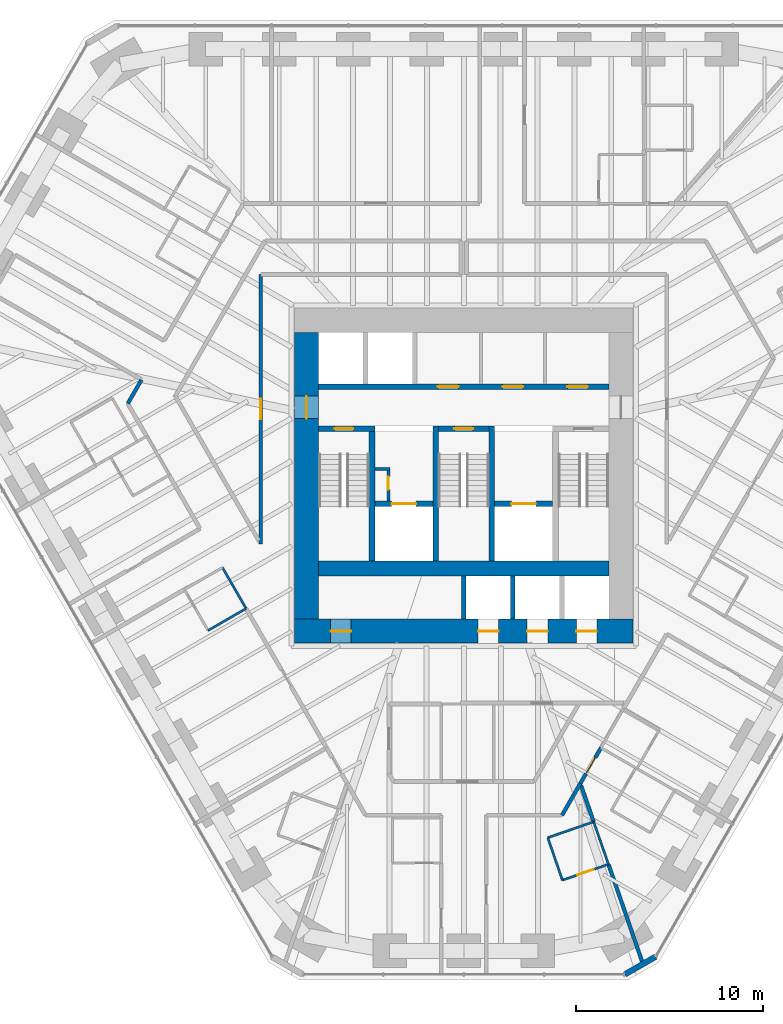
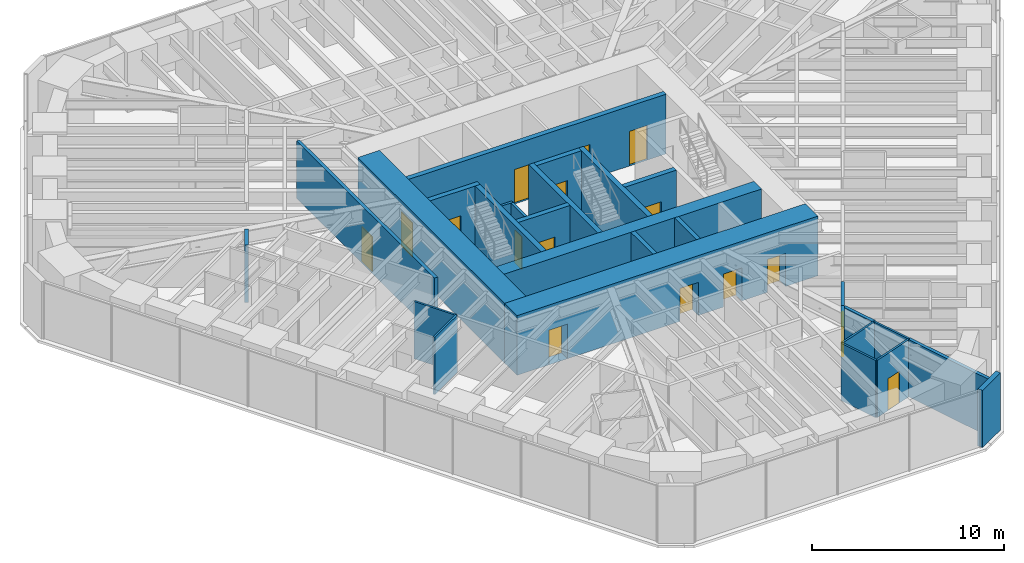
# One storey, part 12 of 16: 28 walls, 16 doors, 16 openings.
"""IFC4 building model written with IfcOpenShell, lengths in metres."""

import ifcopenshell
import ifcopenshell.guid

model = None  # the IFC model being written
_history = None  # IfcOwnerHistory: only IFC2X3 demands one
_inside = {}  # id of a spatial element -> (the spatial element, [elements in it])
_under = {}  # id of a project, library or spatial element -> (it, [spatial elements below it])
_declared = {}  # id of a project -> (the project, [libraries it declares])
_typed = {}  # id of a type object -> (the type object, [elements of that type])
_made_of = {}  # id of a material, layer set ... -> (it, [elements and type objects made of it])


def new_model(schema):
    """Start an empty IFC model of exactly this schema.

    Asked for "IFC4X3", IfcOpenShell would pick the latest addendum, in which some entities
    have other attributes; the version numbers below select the first issue.
    IFC2X3 requires an IfcOwnerHistory on every rooted entity: one is made here for all.
    """
    global model, _history
    if schema == "IFC4X3":
        model = ifcopenshell.file(schema_version=(4, 3, 0, 0))
    else:
        model = ifcopenshell.file(schema=schema)
    _inside.clear()
    _under.clear()
    _declared.clear()
    _typed.clear()
    _made_of.clear()
    _history = None
    if model.schema == "IFC2X3":
        org = make("IfcOrganization", Name="unknown")
        user = make(
            "IfcPersonAndOrganization",
            ThePerson=make("IfcPerson", FamilyName="unknown"),
            TheOrganization=org,
        )
        app = make(
            "IfcApplication",
            ApplicationDeveloper=org,
            Version="unknown",
            ApplicationFullName="unknown",
            ApplicationIdentifier="unknown",
        )
        _history = make(
            "IfcOwnerHistory",
            OwningUser=user,
            OwningApplication=app,
            ChangeAction="ADDED",
            CreationDate=0,
        )
    return model


def make(cls, **values):
    """One entity of the class cls with the attributes given. An attribute that is None is left unset."""
    return model.create_entity(
        cls, **{name: value for name, value in values.items() if value is not None}
    )


def rooted(cls, **values):
    """An entity with a GlobalId (a new one), such as an element, a storey or a relation."""
    return make(cls, GlobalId=ifcopenshell.guid.new(), OwnerHistory=_history, **values)


def si_unit(unit_type, name, prefix=None):
    """IfcSIUnit, for example si_unit("LENGTHUNIT", "METRE", prefix="MILLI")."""
    return make("IfcSIUnit", UnitType=unit_type, Prefix=prefix, Name=name)


def assignment(units):
    """IfcUnitAssignment: the units of a project."""
    return None if units is None else make("IfcUnitAssignment", Units=units)


def point(xyz):
    """IfcCartesianPoint."""
    return None if xyz is None else make("IfcCartesianPoint", Coordinates=xyz)


def direction(xyz):
    """IfcDirection."""
    return None if xyz is None else make("IfcDirection", DirectionRatios=xyz)


def frame(location, z_axis=None, x_axis=None):
    """IfcAxis2Placement3D, a coordinate frame: its origin and axes. An axis left out is left unset."""
    return make(
        "IfcAxis2Placement3D",
        Location=point(location),
        Axis=direction(z_axis),
        RefDirection=direction(x_axis),
    )


def frame_2d(location, x_axis=None):
    """IfcAxis2Placement2D, a coordinate frame in the plane: its origin and x axis."""
    return make(
        "IfcAxis2Placement2D", Location=point(location), RefDirection=direction(x_axis)
    )


def origin():
    """The frame at (0, 0, 0) with its axes left unset."""
    return frame((0.0, 0.0, 0.0))


def place(relative_to, where):
    """IfcLocalPlacement: puts the frame where relative to a parent placement (None: the world)."""
    return make(
        "IfcLocalPlacement", PlacementRelTo=relative_to, RelativePlacement=where
    )


def context(
    kind, dimensions, precision=None, world=None, true_north=None, identifier=None
):
    """IfcGeometricRepresentationContext, for example the 3D "Model" context."""
    return make(
        "IfcGeometricRepresentationContext",
        ContextIdentifier=identifier,
        ContextType=kind,
        CoordinateSpaceDimension=dimensions,
        Precision=precision,
        WorldCoordinateSystem=world,
        TrueNorth=true_north,
    )


def subcontext(parent, identifier, kind, view, scale=None):
    """IfcGeometricRepresentationSubContext, for example "Body" below "Model"."""
    return make(
        "IfcGeometricRepresentationSubContext",
        ContextIdentifier=identifier,
        ContextType=kind,
        ParentContext=parent,
        TargetScale=scale,
        TargetView=view,
    )


def project(units=None, contexts=None):
    """IfcProject with its units and contexts."""
    return rooted(
        "IfcProject",
        Name="project",
        RepresentationContexts=contexts,
        UnitsInContext=assignment(units),
    )


def spatial(cls, under=None, at=None, **own):
    """A site, building, storey or space (cls), placed at a placement, below another one or the project."""
    s = rooted(cls, ObjectPlacement=at, **own)
    if under is not None:
        _under.setdefault(under.id(), (under, []))[1].append(s)
    return s


def profile(cls, at=None, kind="AREA", **sizes):
    """A parametric profile (cls). Its sizes go by their IFC names, for example OverallWidth=200.0."""
    return make(cls, ProfileType=kind, Position=at, **sizes)


def rectangle(**sizes):
    """IfcRectangleProfileDef."""
    return profile("IfcRectangleProfileDef", **sizes)


def extrude(swept, where, along, depth):
    """IfcExtrudedAreaSolid: the profile swept, set in the frame where, extruded along a direction by depth."""
    return make(
        "IfcExtrudedAreaSolid",
        SweptArea=swept,
        Position=where,
        ExtrudedDirection=direction(along),
        Depth=depth,
    )


def shape(context_of_items, identifier, shape_type, items):
    """IfcShapeRepresentation: the items that make up one representation, for example the "Body"."""
    return make(
        "IfcShapeRepresentation",
        ContextOfItems=context_of_items,
        RepresentationIdentifier=identifier,
        RepresentationType=shape_type,
        Items=items,
    )


def material(Name=None, Category=None):
    """IfcMaterial."""
    return make("IfcMaterial", Name=Name, Category=Category)


def layer(
    of_material, thickness, ventilated=None, Name=None, Category=None, Priority=None
):
    """IfcMaterialLayer: one layer of a wall or slab, of a material (None: an air gap)."""
    return make(
        "IfcMaterialLayer",
        Material=of_material,
        LayerThickness=thickness,
        IsVentilated=ventilated,
        Name=Name,
        Category=Category,
        Priority=Priority,
    )


def layer_set(layers, Name=None):
    """IfcMaterialLayerSet."""
    return make("IfcMaterialLayerSet", MaterialLayers=layers, LayerSetName=Name)


def made_of(thing, what):
    """Note that an element or type object is made of a material, layer set ...; save() writes the relation."""
    if what is not None:
        _made_of.setdefault(what.id(), (what, []))[1].append(thing)
    return thing


def type_object(cls, material=None, **own):
    """A type object (cls), such as IfcWallType, which elements share."""
    return made_of(rooted(cls, **own), material)


def element(
    cls,
    number,
    at=None,
    inside=None,
    cuts=None,
    type_object=None,
    material=None,
    context=None,
    identifier="Body",
    shape_type=None,
    held_by="IfcProductDefinitionShape",
    body=None,
    shapes=None,
    **own,
):
    """One element of the class cls, such as IfcWall. Its Tag is "e" and its number.

    at: its placement. inside: the storey or other place that contains it. cuts: it is an
    opening in that element (IfcRelVoidsElement). A single representation is given by context,
    identifier, shape_type and body (its items); several are given by shapes. held_by: the class
    of the entity that holds the representations. save() writes the other relations.
    """
    e = rooted(cls, Tag="e%d" % number, ObjectPlacement=at, **own)
    if body is not None:
        shapes = [shape(context, identifier, shape_type, body)]
    if shapes is not None:
        e.Representation = make(held_by, Representations=shapes)
    if inside is not None:
        _inside.setdefault(inside.id(), (inside, []))[1].append(e)
    if cuts is not None:
        rooted(
            "IfcRelVoidsElement", RelatingBuildingElement=cuts, RelatedOpeningElement=e
        )
    if type_object is not None:
        _typed.setdefault(type_object.id(), (type_object, []))[1].append(e)
    return made_of(e, material)


def fill(opening, filler):
    """IfcRelFillsElement: the door or window that sits in an opening."""
    return rooted(
        "IfcRelFillsElement",
        RelatingOpeningElement=opening,
        RelatedBuildingElement=filler,
    )


def aggregate(whole, parts):
    """IfcRelAggregates: a whole, such as a stair, and the parts it consists of."""
    return rooted("IfcRelAggregates", RelatingObject=whole, RelatedObjects=parts)


def save(model, path):
    """Write the relations noted so far, then the file.

    IfcRelAggregates (storeys below a building ...), IfcRelContainedInSpatialStructure (elements
    in a storey), IfcRelDefinesByType, IfcRelAssociatesMaterial and IfcRelDeclares: one each for
    every whole, place, type object, material and project.
    """
    for whole, parts in _under.values():
        aggregate(whole, parts)
    for where, things in _inside.values():
        rooted(
            "IfcRelContainedInSpatialStructure",
            RelatedElements=things,
            RelatingStructure=where,
        )
    for kind, things in _typed.values():
        rooted("IfcRelDefinesByType", RelatedObjects=things, RelatingType=kind)
    for what, things in _made_of.values():
        rooted("IfcRelAssociatesMaterial", RelatedObjects=things, RelatingMaterial=what)
    for by, libraries in _declared.values():
        rooted("IfcRelDeclares", RelatingContext=by, RelatedDefinitions=libraries)
    model.write(path)


model = new_model("IFC4")

# Units and contexts
model_context = context("Model", 3, precision=1e-05, world=origin(), true_north=direction((0.0, 1.0)))
body_context = subcontext(model_context, "Body", "Model", "MODEL_VIEW")
ifc_project = project(units=[si_unit("LENGTHUNIT", "METRE"), si_unit("AREAUNIT", "SQUARE_METRE"), si_unit("VOLUMEUNIT", "CUBIC_METRE"), si_unit("PLANEANGLEUNIT", "RADIAN"), si_unit("MASSUNIT", "GRAM", prefix="KILO")], contexts=[model_context])

# Site, building, storey
site_placement = place(None, origin())
site = spatial("IfcSite", under=ifc_project, at=site_placement, CompositionType="ELEMENT")
building_placement = place(site_placement, origin())
building = spatial("IfcBuilding", under=site, at=building_placement, Name="Sandreach Pilgrim Tower", CompositionType="ELEMENT")
storey_placement = place(building_placement, frame((0.0, 0.0, 134.800048828125)))
storey = spatial("IfcBuildingStorey", under=building, at=storey_placement, Name="L33", CompositionType="ELEMENT", Elevation=134.800048828125)

# Walls
ifc_material_1 = material(Name="Moisture-resistant gypsum board on steel studs", Category="steel")
ifc_layer_1 = layer(ifc_material_1, 0.1201171875)
ifc_layer_set_1 = layer_set([ifc_layer_1], Name="Bathroom partition 120")
wall_type_1 = type_object("IfcWallType", Name="Bathroom partition 120", PredefinedType="PARTITIONING", material=ifc_layer_set_1)
wall_1_placement = place(storey_placement, frame((-13.659912109375, -9.820068359375, 0.0), z_axis=(0.0, 0.0, 1.0), x_axis=(0.866345142729, 0.499445786517, 0.0)))
element("IfcWall", 1, at=wall_1_placement, inside=storey, type_object=wall_type_1, Name="Bathroom partition L33-035", PredefinedType="PARTITIONING", context=body_context, shape_type="SweptSolid", body=[
    extrude(rectangle(XDim=2.343017578125, YDim=0.1201171875, at=frame_2d((1.17138671875, 0.0))), origin(), (0.0, 0.0, 1.0), 3.639892578125),
])
wall_2_placement = place(storey_placement, frame((-12.889892578125, -6.4599609375, 0.0), z_axis=(0.0, 0.0, 1.0), x_axis=(0.498707120669, -0.866770562372, 0.0)))
element("IfcWall", 2, at=wall_2_placement, inside=storey, type_object=wall_type_1, Name="Bathroom partition L33-037", PredefinedType="PARTITIONING", context=body_context, shape_type="SweptSolid", body=[
    extrude(rectangle(XDim=2.526611328125, YDim=0.1201171875, at=frame_2d((1.26318359375, 0.0))), origin(), (0.0, 0.0, 1.0), 3.639892578125),
])
wall_3_placement = place(storey_placement, frame((4.489990234375, -20.889892578125, 0.0), z_axis=(0.0, 0.0, 1.0), x_axis=(0.324971746724, -0.945723724896, 0.0)))
element("IfcWall", 3, at=wall_3_placement, inside=storey, type_object=wall_type_1, Name="Bathroom partition L33-078", PredefinedType="PARTITIONING", context=body_context, shape_type="SweptSolid", body=[
    extrude(rectangle(XDim=2.400390625, YDim=0.1201171875, at=frame_2d((1.2001953125, 0.0))), origin(), (0.0, 0.0, 1.0), 3.639892578125),
])

# Wall, opening, door
wall_4_placement = place(storey_placement, frame((5.27001953125, -23.159912109375, 0.0), z_axis=(0.0, 0.0, 1.0), x_axis=(0.945184415197, 0.326537013627, 0.0)))
wall_4 = element("IfcWall", 4, at=wall_4_placement, inside=storey, type_object=wall_type_1, Name="Bathroom partition L33-080", PredefinedType="PARTITIONING", context=body_context, shape_type="SweptSolid", body=[
    extrude(rectangle(XDim=2.6025390625, YDim=0.1201171875, at=frame_2d((1.30126953125, 0.0))), origin(), (0.0, 0.0, 1.0), 3.639892578125),
])
opening_1_placement = place(wall_4_placement, frame((0.85009765625, 0.0, 0.0)))
opening_1 = element("IfcOpeningElement", 5, at=opening_1_placement, cuts=wall_4, Name="Opening D09-10B", PredefinedType="OPENING", context=body_context, shape_type="SweptSolid", body=[
    extrude(rectangle(XDim=0.89990234375, YDim=2.030029296875, at=frame_2d((0.449951171875, 1.01513671875))), frame((0.0, 0.06005859375, 0.0), z_axis=(0.0, -1.0, 0.0), x_axis=(1.0, 0.0, 0.0)), (0.0, 0.0, 1.0), 0.1201171875),
])
ifc_material_2 = material(Name="Timber door, steel frame", Category="steel")
door_type_1 = type_object("IfcDoorType", Name="Bathroom door", OperationType="SINGLE_SWING_LEFT", PredefinedType="DOOR", material=ifc_material_2)
door_1_placement = place(opening_1_placement, origin())
door_1 = element("IfcDoor", 6, at=door_1_placement, inside=storey, type_object=door_type_1, Name="Door 3310B", OperationType="SINGLE_SWING_LEFT", OverallHeight=2.030029296875, OverallWidth=0.89990234375, PredefinedType="DOOR", context=body_context, shape_type="SweptSolid", body=[
    extrude(rectangle(XDim=0.89990234375, YDim=2.030029296875, at=frame_2d((0.449951171875, 1.01513671875))), frame((0.0, 0.02490234375, 0.0), z_axis=(0.0, -1.0, 0.0), x_axis=(1.0, 0.0, 0.0)), (0.0, 0.0, 1.0), 0.050048828125),
])
fill(opening_1, door_1)

# Walls
wall_5_placement = place(storey_placement, frame((6.93994140625, -20.0400390625, 0.0), z_axis=(0.0, 0.0, 1.0), x_axis=(-0.944772080486, -0.327728112822, 0.0)))
element("IfcWall", 7, at=wall_5_placement, inside=storey, type_object=wall_type_1, Name="Bathroom partition L33-084", PredefinedType="PARTITIONING", context=body_context, shape_type="SweptSolid", body=[
    extrude(rectangle(XDim=2.59326171875, YDim=0.1201171875, at=frame_2d((1.296630859375, 0.0))), origin(), (0.0, 0.0, 1.0), 3.639892578125),
])
wall_6_placement = place(storey_placement, frame((6.93994140625, -20.0400390625, 0.0), z_axis=(0.0, 0.0, 1.0), x_axis=(0.328693963496, -0.944436487203, 0.0)))
element("IfcWall", 8, at=wall_6_placement, inside=storey, type_object=wall_type_1, Name="Bathroom partition L33-085", PredefinedType="PARTITIONING", context=body_context, shape_type="SweptSolid", body=[
    extrude(rectangle(XDim=2.403564453125, YDim=0.1201171875, at=frame_2d((1.20166015625, 0.0))), origin(), (0.0, 0.0, 1.0), 3.639892578125),
])
ifc_material_3 = material(Name="Concrete 10000 psi", Category="concrete")
ifc_layer_2 = layer(ifc_material_3, 0.300048828125)
ifc_layer_set_2 = layer_set([ifc_layer_2], Name="Core inner wall 300")
wall_type_2 = type_object("IfcWallType", Name="Core inner wall 300", PredefinedType="SHEAR", material=ifc_layer_set_2)
for number, where, z_axis, x_axis, name in (
    (9, (-4.89990234375, -6.10009765625, 0.0), (0.0, 0.0, 1.0), (0.0, 1.0, 0.0), "Core wall I0 L33"),
    (10, (-1.5, -6.10009765625, 0.0), (0.0, 0.0, 1.0), (0.0, 1.0, 0.0), "Core wall I1 L33"),
    (11, (1.5, -6.10009765625, 0.0), (0.0, 0.0, 1.0), (0.0, 1.0, 0.0), "Core wall I2 L33"),
):
    element("IfcWall", number, at=place(storey_placement, frame(where, z_axis=z_axis, x_axis=x_axis)), inside=storey, type_object=wall_type_2, Name=name, PredefinedType="SHEAR", context=body_context, shape_type="SweptSolid", body=[
        extrude(rectangle(XDim=7.2001953125, YDim=0.300048828125, at=frame_2d((3.60009765625, 0.0))), origin(), (0.0, 0.0, 1.0), 3.800048828125),
    ])

# Wall, opening, door
wall_7_placement = place(storey_placement, frame((-7.75, 0.949951171875, 0.0), z_axis=(0.0, 0.0, 1.0), x_axis=(1.0, 0.0, 0.0)))
wall_7 = element("IfcWall", 12, at=wall_7_placement, inside=storey, type_object=wall_type_2, Name="Core wall SN1 L33", PredefinedType="SHEAR", context=body_context, shape_type="SweptSolid", body=[
    extrude(rectangle(XDim=3.0, YDim=0.300048828125, at=frame_2d((1.5, 0.0))), origin(), (0.0, 0.0, 1.0), 3.800048828125),
])
opening_2_placement = place(wall_7_placement, frame((0.85009765625, 0.0, 0.0)))
opening_2 = element("IfcOpeningElement", 13, at=opening_2_placement, cuts=wall_7, Name="Opening D10S-ST1", PredefinedType="OPENING", context=body_context, shape_type="SweptSolid", body=[
    extrude(rectangle(XDim=1.0, YDim=2.199951171875, at=frame_2d((0.5, 1.10009765625))), frame((0.0, 0.14990234375, 0.0), z_axis=(0.0, -1.0, 0.0), x_axis=(1.0, 0.0, 0.0)), (0.0, 0.0, 1.0), 0.300048828125),
])
ifc_material_4 = material(Name="Steel door and frame", Category="steel")
door_type_2 = type_object("IfcDoorType", Name="Stair door", OperationType="SINGLE_SWING_LEFT", PredefinedType="DOOR", material=ifc_material_4)
door_2_placement = place(opening_2_placement, origin())
door_2 = element("IfcDoor", 14, at=door_2_placement, inside=storey, type_object=door_type_2, Name="Stair door ST1 L33", OperationType="SINGLE_SWING_LEFT", OverallHeight=2.199951171875, OverallWidth=1.0, PredefinedType="DOOR", context=body_context, shape_type="SweptSolid", body=[
    extrude(rectangle(XDim=1.0, YDim=2.199951171875, at=frame_2d((0.5, 1.10009765625))), frame((0.0, 0.02490234375, 0.0), z_axis=(0.0, -1.0, 0.0), x_axis=(1.0, 0.0, 0.0)), (0.0, 0.0, 1.0), 0.050048828125),
])
fill(opening_2, door_2)

wall_8_placement = place(storey_placement, frame((-1.35009765625, 0.949951171875, 0.0), z_axis=(0.0, 0.0, 1.0), x_axis=(1.0, 0.0, 0.0)))
wall_8 = element("IfcWall", 15, at=wall_8_placement, inside=storey, type_object=wall_type_2, Name="Core wall SN3 L33", PredefinedType="SHEAR", context=body_context, shape_type="SweptSolid", body=[
    extrude(rectangle(XDim=2.7001953125, YDim=0.300048828125, at=frame_2d((1.35009765625, 0.0))), origin(), (0.0, 0.0, 1.0), 3.800048828125),
])
opening_3_placement = place(wall_8_placement, frame((0.85009765625, 0.0, 0.0)))
opening_3 = element("IfcOpeningElement", 16, at=opening_3_placement, cuts=wall_8, Name="Opening D10S-ST3", PredefinedType="OPENING", context=body_context, shape_type="SweptSolid", body=[
    extrude(rectangle(XDim=1.0, YDim=2.199951171875, at=frame_2d((0.5, 1.10009765625))), frame((0.0, 0.14990234375, 0.0), z_axis=(0.0, -1.0, 0.0), x_axis=(1.0, 0.0, 0.0)), (0.0, 0.0, 1.0), 0.300048828125),
])
door_3_placement = place(opening_3_placement, origin())
door_3 = element("IfcDoor", 17, at=door_3_placement, inside=storey, type_object=door_type_2, Name="Stair door ST3 L33", OperationType="SINGLE_SWING_LEFT", OverallHeight=2.199951171875, OverallWidth=1.0, PredefinedType="DOOR", context=body_context, shape_type="SweptSolid", body=[
    extrude(rectangle(XDim=1.0, YDim=2.199951171875, at=frame_2d((0.5, 1.10009765625))), frame((0.0, 0.02490234375, 0.0), z_axis=(0.0, -1.0, 0.0), x_axis=(1.0, 0.0, 0.0)), (0.0, 0.0, 1.0), 0.050048828125),
])
fill(opening_3, door_3)

wall_9_placement = place(storey_placement, frame((-4.75, -3.050048828125, 0.0), z_axis=(0.0, 0.0, 1.0), x_axis=(1.0, 0.0, 0.0)))
wall_9 = element("IfcWall", 18, at=wall_9_placement, inside=storey, type_object=wall_type_2, Name="Core wall FL1 L33", PredefinedType="SHEAR", context=body_context, shape_type="SweptSolid", body=[
    extrude(rectangle(XDim=3.10009765625, YDim=0.300048828125, at=frame_2d((1.550048828125, 0.0))), origin(), (0.0, 0.0, 1.0), 3.800048828125),
])
opening_4_placement = place(wall_9_placement, frame((0.89990234375, 0.0, 0.0)))
opening_4 = element("IfcOpeningElement", 19, at=opening_4_placement, cuts=wall_9, Name="Opening LD13", PredefinedType="OPENING", context=body_context, shape_type="SweptSolid", body=[
    extrude(rectangle(XDim=1.300048828125, YDim=2.10009765625, at=frame_2d((0.64990234375, 1.050048828125))), frame((0.0, 0.14990234375, 0.0), z_axis=(0.0, -1.0, 0.0), x_axis=(1.0, 0.0, 0.0)), (0.0, 0.0, 1.0), 0.300048828125),
])
ifc_material_5 = material(Name="Steel door and frame", Category="steel")
door_type_3 = type_object("IfcDoorType", Name="Fire service lift landing door", OperationType="DOUBLE_DOOR_SLIDING", PredefinedType="DOOR", material=ifc_material_5)
door_4_placement = place(opening_4_placement, origin())
door_4 = element("IfcDoor", 20, at=door_4_placement, inside=storey, type_object=door_type_3, Name="Lift landing door FS1 L33", OperationType="DOUBLE_DOOR_SLIDING", OverallHeight=2.10009765625, OverallWidth=1.300048828125, PredefinedType="DOOR", context=body_context, shape_type="SweptSolid", body=[
    extrude(rectangle(XDim=1.300048828125, YDim=2.10009765625, at=frame_2d((0.64990234375, 1.050048828125))), frame((0.0, 0.02490234375, 0.0), z_axis=(0.0, -1.0, 0.0), x_axis=(1.0, 0.0, 0.0)), (0.0, 0.0, 1.0), 0.050048828125),
])
fill(opening_4, door_4)

wall_10_placement = place(storey_placement, frame((1.64990234375, -3.050048828125, 0.0), z_axis=(0.0, 0.0, 1.0), x_axis=(1.0, 0.0, 0.0)))
wall_10 = element("IfcWall", 21, at=wall_10_placement, inside=storey, type_object=wall_type_2, Name="Core wall FL2 L33", PredefinedType="SHEAR", context=body_context, shape_type="SweptSolid", body=[
    extrude(rectangle(XDim=3.10009765625, YDim=0.300048828125, at=frame_2d((1.550048828125, 0.0))), origin(), (0.0, 0.0, 1.0), 3.800048828125),
])
opening_5_placement = place(wall_10_placement, frame((0.89990234375, 0.0, 0.0)))
opening_5 = element("IfcOpeningElement", 22, at=opening_5_placement, cuts=wall_10, Name="Opening LD13", PredefinedType="OPENING", context=body_context, shape_type="SweptSolid", body=[
    extrude(rectangle(XDim=1.300048828125, YDim=2.10009765625, at=frame_2d((0.64990234375, 1.050048828125))), frame((0.0, 0.14990234375, 0.0), z_axis=(0.0, -1.0, 0.0), x_axis=(1.0, 0.0, 0.0)), (0.0, 0.0, 1.0), 0.300048828125),
])
door_5_placement = place(opening_5_placement, origin())
door_5 = element("IfcDoor", 23, at=door_5_placement, inside=storey, type_object=door_type_3, Name="Lift landing door FS2 L33", OperationType="DOUBLE_DOOR_SLIDING", OverallHeight=2.10009765625, OverallWidth=1.300048828125, PredefinedType="DOOR", context=body_context, shape_type="SweptSolid", body=[
    extrude(rectangle(XDim=1.300048828125, YDim=2.10009765625, at=frame_2d((0.64990234375, 1.050048828125))), frame((0.0, 0.02490234375, 0.0), z_axis=(0.0, -1.0, 0.0), x_axis=(1.0, 0.0, 0.0)), (0.0, 0.0, 1.0), 0.050048828125),
])
fill(opening_5, door_5)

# Wall, openings, doors
wall_11_placement = place(storey_placement, frame((-7.75, 3.199951171875, 0.0), z_axis=(0.0, 0.0, 1.0), x_axis=(1.0, 0.0, 0.0)))
wall_11 = element("IfcWall", 24, at=wall_11_placement, inside=storey, type_object=wall_type_2, Name="Core wall PN L33", PredefinedType="SHEAR", context=body_context, shape_type="SweptSolid", body=[
    extrude(rectangle(XDim=15.5, YDim=0.300048828125, at=frame_2d((7.75, 0.0))), origin(), (0.0, 0.0, 1.0), 3.800048828125),
])
opening_6_placement = place(wall_11_placement, frame((6.370849609375, 0.0, 0.0)))
opening_6 = element("IfcOpeningElement", 25, at=opening_6_placement, cuts=wall_11, Name="Opening D11L", PredefinedType="OPENING", context=body_context, shape_type="SweptSolid", body=[
    extrude(rectangle(XDim=1.10009765625, YDim=2.199951171875, at=frame_2d((0.550048828125, 1.10009765625))), frame((0.0, 0.14990234375, 0.0), z_axis=(0.0, -1.0, 0.0), x_axis=(1.0, 0.0, 0.0)), (0.0, 0.0, 1.0), 0.300048828125),
])
opening_7_placement = place(wall_11_placement, frame((9.824951171875, 0.0, 0.0)))
opening_7 = element("IfcOpeningElement", 26, at=opening_7_placement, cuts=wall_11, Name="Opening D11L", PredefinedType="OPENING", context=body_context, shape_type="SweptSolid", body=[
    extrude(rectangle(XDim=1.10009765625, YDim=2.199951171875, at=frame_2d((0.550048828125, 1.10009765625))), frame((0.0, 0.14990234375, 0.0), z_axis=(0.0, -1.0, 0.0), x_axis=(1.0, 0.0, 0.0)), (0.0, 0.0, 1.0), 0.300048828125),
])
opening_8_placement = place(wall_11_placement, frame((13.279052734375, 0.0, 0.0)))
opening_8 = element("IfcOpeningElement", 27, at=opening_8_placement, cuts=wall_11, Name="Opening D11L", PredefinedType="OPENING", context=body_context, shape_type="SweptSolid", body=[
    extrude(rectangle(XDim=1.10009765625, YDim=2.199951171875, at=frame_2d((0.550048828125, 1.10009765625))), frame((0.0, 0.14990234375, 0.0), z_axis=(0.0, -1.0, 0.0), x_axis=(1.0, 0.0, 0.0)), (0.0, 0.0, 1.0), 0.300048828125),
])
ifc_material_6 = material(Name="Steel door and frame, smoke seals", Category="steel")
door_type_4 = type_object("IfcDoorType", Name="Core room door", OperationType="SINGLE_SWING_LEFT", PredefinedType="DOOR", material=ifc_material_6)
door_6_placement = place(opening_6_placement, origin())
door_6 = element("IfcDoor", 28, at=door_6_placement, inside=storey, type_object=door_type_4, Name="Door linen and housekeeping store 33K1", OperationType="SINGLE_SWING_LEFT", OverallHeight=2.199951171875, OverallWidth=1.10009765625, PredefinedType="DOOR", context=body_context, shape_type="SweptSolid", body=[
    extrude(rectangle(XDim=1.10009765625, YDim=2.199951171875, at=frame_2d((0.550048828125, 1.10009765625))), frame((0.0, 0.02490234375, 0.0), z_axis=(0.0, -1.0, 0.0), x_axis=(1.0, 0.0, 0.0)), (0.0, 0.0, 1.0), 0.050048828125),
])
fill(opening_6, door_6)
door_7_placement = place(opening_7_placement, origin())
door_7 = element("IfcDoor", 29, at=door_7_placement, inside=storey, type_object=door_type_4, Name="Door cleaners store 33K2", OperationType="SINGLE_SWING_RIGHT", OverallHeight=2.199951171875, OverallWidth=1.10009765625, PredefinedType="DOOR", context=body_context, shape_type="SweptSolid", body=[
    extrude(rectangle(XDim=1.10009765625, YDim=2.199951171875, at=frame_2d((0.550048828125, 1.10009765625))), frame((0.0, 0.02490234375, 0.0), z_axis=(0.0, -1.0, 0.0), x_axis=(1.0, 0.0, 0.0)), (0.0, 0.0, 1.0), 0.050048828125),
])
fill(opening_7, door_7)
door_8_placement = place(opening_8_placement, origin())
door_8 = element("IfcDoor", 30, at=door_8_placement, inside=storey, type_object=door_type_4, Name="Door storage room 33K3", OperationType="SINGLE_SWING_RIGHT", OverallHeight=2.199951171875, OverallWidth=1.10009765625, PredefinedType="DOOR", context=body_context, shape_type="SweptSolid", body=[
    extrude(rectangle(XDim=1.10009765625, YDim=2.199951171875, at=frame_2d((0.550048828125, 1.10009765625))), frame((0.0, 0.02490234375, 0.0), z_axis=(0.0, -1.0, 0.0), x_axis=(1.0, 0.0, 0.0)), (0.0, 0.0, 1.0), 0.050048828125),
])
fill(opening_8, door_8)

# Wall
ifc_material_7 = material(Name="Concrete 10000 psi", Category="concrete")
ifc_layer_3 = layer(ifc_material_7, 0.800048828125)
ifc_layer_set_3 = layer_set([ifc_layer_3], Name="Core mid wall 800")
wall_type_3 = type_object("IfcWallType", Name="Core mid wall 800", PredefinedType="SHEAR", material=ifc_layer_set_3)
wall_12_placement = place(storey_placement, frame((-7.75, -6.5, 0.0), z_axis=(0.0, 0.0, 1.0), x_axis=(1.0, 0.0, 0.0)))
element("IfcWall", 31, at=wall_12_placement, inside=storey, type_object=wall_type_3, Name="Core wall M L33", PredefinedType="SHEAR", context=body_context, shape_type="SweptSolid", body=[
    extrude(rectangle(XDim=15.5, YDim=0.800048828125, at=frame_2d((7.75, 0.0))), origin(), (0.0, 0.0, 1.0), 3.800048828125),
])

# Wall, openings, doors
ifc_material_8 = material(Name="Concrete 10000 psi", Category="concrete")
ifc_layer_4 = layer(ifc_material_8, 1.300048828125)
ifc_layer_set_4 = layer_set([ifc_layer_4], Name="Core wall 1300")
wall_type_4 = type_object("IfcWallType", Name="Core wall 1300", PredefinedType="SHEAR", material=ifc_layer_set_4)
wall_13_placement = place(storey_placement, frame((-9.050048828125, -9.85009765625, 0.0), z_axis=(0.0, 0.0, 1.0), x_axis=(1.0, 0.0, 0.0)))
wall_13 = element("IfcWall", 32, at=wall_13_placement, inside=storey, type_object=wall_type_4, Name="Core wall S L33", PredefinedType="SHEAR", context=body_context, shape_type="SweptSolid", body=[
    extrude(rectangle(XDim=18.10009765625, YDim=1.300048828125, at=frame_2d((9.050048828125, 0.0))), origin(), (0.0, 0.0, 1.0), 3.800048828125),
])
opening_9_placement = place(wall_13_placement, frame((1.9375, 0.0, 0.0)))
opening_9 = element("IfcOpeningElement", 33, at=opening_9_placement, cuts=wall_13, Name="Opening D11H", PredefinedType="OPENING", context=body_context, shape_type="SweptSolid", body=[
    extrude(rectangle(XDim=1.10009765625, YDim=2.199951171875, at=frame_2d((0.550048828125, 1.10009765625))), frame((0.0, 0.64990234375, 0.0), z_axis=(0.0, -1.0, 0.0), x_axis=(1.0, 0.0, 0.0)), (0.0, 0.0, 1.0), 1.300048828125),
])
opening_10_placement = place(wall_13_placement, frame((9.8125, 0.0, 0.0)))
opening_10 = element("IfcOpeningElement", 34, at=opening_10_placement, cuts=wall_13, Name="Opening LD11", PredefinedType="OPENING", context=body_context, shape_type="SweptSolid", body=[
    extrude(rectangle(XDim=1.10009765625, YDim=2.10009765625, at=frame_2d((0.550048828125, 1.050048828125))), frame((0.0, 0.64990234375, 0.0), z_axis=(0.0, -1.0, 0.0), x_axis=(1.0, 0.0, 0.0)), (0.0, 0.0, 1.0), 1.300048828125),
])
opening_11_placement = place(wall_13_placement, frame((12.4375, 0.0, 0.0)))
opening_11 = element("IfcOpeningElement", 35, at=opening_11_placement, cuts=wall_13, Name="Opening LD11", PredefinedType="OPENING", context=body_context, shape_type="SweptSolid", body=[
    extrude(rectangle(XDim=1.10009765625, YDim=2.10009765625, at=frame_2d((0.550048828125, 1.050048828125))), frame((0.0, 0.64990234375, 0.0), z_axis=(0.0, -1.0, 0.0), x_axis=(1.0, 0.0, 0.0)), (0.0, 0.0, 1.0), 1.300048828125),
])
opening_12_placement = place(wall_13_placement, frame((15.0625, 0.0, 0.0)))
opening_12 = element("IfcOpeningElement", 36, at=opening_12_placement, cuts=wall_13, Name="Opening LD11", PredefinedType="OPENING", context=body_context, shape_type="SweptSolid", body=[
    extrude(rectangle(XDim=1.10009765625, YDim=2.10009765625, at=frame_2d((0.550048828125, 1.050048828125))), frame((0.0, 0.64990234375, 0.0), z_axis=(0.0, -1.0, 0.0), x_axis=(1.0, 0.0, 0.0)), (0.0, 0.0, 1.0), 1.300048828125),
])
ifc_material_9 = material(Name="Steel door and frame", Category="steel")
door_type_5 = type_object("IfcDoorType", Name="Back of house door", OperationType="SINGLE_SWING_LEFT", PredefinedType="DOOR", material=ifc_material_9)
door_9_placement = place(opening_9_placement, origin())
door_9 = element("IfcDoor", 37, at=door_9_placement, inside=storey, type_object=door_type_5, Name="Door staff room 33K4", OperationType="SINGLE_SWING_LEFT", OverallHeight=2.199951171875, OverallWidth=1.10009765625, PredefinedType="DOOR", context=body_context, shape_type="SweptSolid", body=[
    extrude(rectangle(XDim=1.10009765625, YDim=2.199951171875, at=frame_2d((0.550048828125, 1.10009765625))), frame((0.0, 0.02490234375, 0.0), z_axis=(0.0, -1.0, 0.0), x_axis=(1.0, 0.0, 0.0)), (0.0, 0.0, 1.0), 0.050048828125),
])
fill(opening_9, door_9)
ifc_material_10 = material(Name="Steel door and frame", Category="steel")
door_type_6 = type_object("IfcDoorType", Name="Lift landing door", OperationType="DOUBLE_DOOR_SLIDING", PredefinedType="DOOR", material=ifc_material_10)
door_10_placement = place(opening_10_placement, origin())
door_10 = element("IfcDoor", 38, at=door_10_placement, inside=storey, type_object=door_type_6, Name="Lift landing door Z2A L33", OperationType="DOUBLE_DOOR_SLIDING", OverallHeight=2.10009765625, OverallWidth=1.10009765625, PredefinedType="DOOR", context=body_context, shape_type="SweptSolid", body=[
    extrude(rectangle(XDim=1.10009765625, YDim=2.10009765625, at=frame_2d((0.550048828125, 1.050048828125))), frame((0.0, 0.02490234375, 0.0), z_axis=(0.0, -1.0, 0.0), x_axis=(1.0, 0.0, 0.0)), (0.0, 0.0, 1.0), 0.050048828125),
])
fill(opening_10, door_10)
door_11_placement = place(opening_11_placement, origin())
door_11 = element("IfcDoor", 39, at=door_11_placement, inside=storey, type_object=door_type_6, Name="Lift landing door Z2B L33", OperationType="DOUBLE_DOOR_SLIDING", OverallHeight=2.10009765625, OverallWidth=1.10009765625, PredefinedType="DOOR", context=body_context, shape_type="SweptSolid", body=[
    extrude(rectangle(XDim=1.10009765625, YDim=2.10009765625, at=frame_2d((0.550048828125, 1.050048828125))), frame((0.0, 0.02490234375, 0.0), z_axis=(0.0, -1.0, 0.0), x_axis=(1.0, 0.0, 0.0)), (0.0, 0.0, 1.0), 0.050048828125),
])
fill(opening_11, door_11)
door_12_placement = place(opening_12_placement, origin())
door_12 = element("IfcDoor", 40, at=door_12_placement, inside=storey, type_object=door_type_6, Name="Lift landing door Z2C L33", OperationType="DOUBLE_DOOR_SLIDING", OverallHeight=2.10009765625, OverallWidth=1.10009765625, PredefinedType="DOOR", context=body_context, shape_type="SweptSolid", body=[
    extrude(rectangle(XDim=1.10009765625, YDim=2.10009765625, at=frame_2d((0.550048828125, 1.050048828125))), frame((0.0, 0.02490234375, 0.0), z_axis=(0.0, -1.0, 0.0), x_axis=(1.0, 0.0, 0.0)), (0.0, 0.0, 1.0), 0.050048828125),
])
fill(opening_12, door_12)

# Wall, opening, door
wall_14_placement = place(storey_placement, frame((-8.39990234375, -9.199951171875, 0.0), z_axis=(0.0, 0.0, 1.0), x_axis=(0.0, 1.0, 0.0)))
wall_14 = element("IfcWall", 41, at=wall_14_placement, inside=storey, type_object=wall_type_4, Name="Core wall W L33", PredefinedType="SHEAR", context=body_context, shape_type="SweptSolid", body=[
    extrude(rectangle(XDim=15.300048828125, YDim=1.300048828125, at=frame_2d((7.64990234375, 0.0))), origin(), (0.0, 0.0, 1.0), 3.800048828125),
])
opening_13_placement = place(wall_14_placement, frame((10.699951171875, 0.0, 0.0)))
opening_13 = element("IfcOpeningElement", 42, at=opening_13_placement, cuts=wall_14, Name="Opening D12F-W", PredefinedType="OPENING", context=body_context, shape_type="SweptSolid", body=[
    extrude(rectangle(XDim=1.199951171875, YDim=2.199951171875, at=frame_2d((0.60009765625, 1.10009765625))), frame((0.0, 0.64990234375, 0.0), z_axis=(0.0, -1.0, 0.0), x_axis=(1.0, 0.0, 0.0)), (0.0, 0.0, 1.0), 1.300048828125),
])
ifc_material_11 = material(Name="Steel door and frame", Category="steel")
door_type_7 = type_object("IfcDoorType", Name="Fire lobby door", OperationType="SINGLE_SWING_LEFT", PredefinedType="DOOR", material=ifc_material_11)
door_13_placement = place(opening_13_placement, origin())
door_13 = element("IfcDoor", 43, at=door_13_placement, inside=storey, type_object=door_type_7, Name="Fire service lobby door W L33", OperationType="SINGLE_SWING_RIGHT", OverallHeight=2.199951171875, OverallWidth=1.199951171875, PredefinedType="DOOR", context=body_context, shape_type="SweptSolid", body=[
    extrude(rectangle(XDim=1.199951171875, YDim=2.199951171875, at=frame_2d((0.60009765625, 1.10009765625))), frame((0.0, 0.02490234375, 0.0), z_axis=(0.0, -1.0, 0.0), x_axis=(1.0, 0.0, 0.0)), (0.0, 0.0, 1.0), 0.050048828125),
])
fill(opening_13, door_13)

# Wall
ifc_material_12 = material(Name="Gypsum board on steel studs, two layers each side", Category="steel")
ifc_layer_5 = layer(ifc_material_12, 0.199951171875)
ifc_layer_set_5 = layer_set([ifc_layer_5], Name="Corridor wall 200")
wall_type_5 = type_object("IfcWallType", Name="Corridor wall 200", PredefinedType="PARTITIONING", material=ifc_layer_set_5)
wall_15_placement = place(storey_placement, frame((-17.217529296875, 3.56689453125, 0.0), z_axis=(0.0, 0.0, 1.0), x_axis=(-0.500516625994, -0.865726924095, 0.0)))
element("IfcWall", 44, at=wall_15_placement, inside=storey, type_object=wall_type_5, Name="Corridor wall L33-017", PredefinedType="PARTITIONING", context=body_context, shape_type="SweptSolid", body=[
    extrude(rectangle(XDim=1.46337890625, YDim=0.199951171875, at=frame_2d((0.731689453125, 0.0))), origin(), (0.0, 0.0, 1.0), 3.639892578125),
])

# Wall, opening, door
wall_16_placement = place(storey_placement, frame((-10.85009765625, 9.199951171875, 0.0), z_axis=(0.0, 0.0, 1.0), x_axis=(0.0, -1.0, 0.0)))
wall_16 = element("IfcWall", 45, at=wall_16_placement, inside=storey, type_object=wall_type_5, Name="Corridor wall L33-041", PredefinedType="PARTITIONING", context=body_context, shape_type="SweptSolid", body=[
    extrude(rectangle(XDim=14.389892578125, YDim=0.199951171875, at=frame_2d((7.19482421875, 0.0))), origin(), (0.0, 0.0, 1.0), 3.639892578125),
])
opening_14_placement = place(wall_16_placement, frame((6.64501953125, 0.0, 0.0)))
opening_14 = element("IfcOpeningElement", 46, at=opening_14_placement, cuts=wall_16, Name="Opening D11H-M1", PredefinedType="OPENING", context=body_context, shape_type="SweptSolid", body=[
    extrude(rectangle(XDim=1.10009765625, YDim=2.199951171875, at=frame_2d((0.550048828125, 1.10009765625))), frame((0.0, 0.10009765625, 0.0), z_axis=(0.0, -1.0, 0.0), x_axis=(1.0, 0.0, 0.0)), (0.0, 0.0, 1.0), 0.199951171875),
])
door_14_placement = place(opening_14_placement, origin())
door_14 = element("IfcDoor", 47, at=door_14_placement, inside=storey, type_object=door_type_5, Name="Door 33M1", OperationType="SINGLE_SWING_LEFT", OverallHeight=2.199951171875, OverallWidth=1.10009765625, PredefinedType="DOOR", context=body_context, shape_type="SweptSolid", body=[
    extrude(rectangle(XDim=1.10009765625, YDim=2.199951171875, at=frame_2d((0.550048828125, 1.10009765625))), frame((0.0, 0.02490234375, 0.0), z_axis=(0.0, -1.0, 0.0), x_axis=(1.0, 0.0, 0.0)), (0.0, 0.0, 1.0), 0.050048828125),
])
fill(opening_14, door_14)

# Wall
wall_17_placement = place(storey_placement, frame((5.25, -19.68994140625, 0.0), z_axis=(0.0, 0.0, 1.0), x_axis=(0.499431599995, 0.866353321068, 0.0)))
element("IfcWall", 48, at=wall_17_placement, inside=storey, type_object=wall_type_5, Name="Corridor wall L33-079", PredefinedType="PARTITIONING", context=body_context, shape_type="SweptSolid", body=[
    extrude(rectangle(XDim=1.962158203125, YDim=0.199951171875, at=frame_2d((0.98095703125, 0.0))), origin(), (0.0, 0.0, 1.0), 3.639892578125),
])

# Wall, opening, door
wall_18_placement = place(storey_placement, frame((6.22998046875, -17.989990234375, 0.0), z_axis=(0.0, 0.0, 1.0), x_axis=(0.500957366999, 0.865471961677, 0.0)))
wall_18 = element("IfcWall", 49, at=wall_18_placement, inside=storey, type_object=wall_type_5, Name="Corridor wall L33-082", PredefinedType="PARTITIONING", context=body_context, shape_type="SweptSolid", body=[
    extrude(rectangle(XDim=2.195556640625, YDim=0.199951171875, at=frame_2d((1.09765625, 0.0))), origin(), (0.0, 0.0, 1.0), 3.639892578125),
])
opening_15_placement = place(wall_18_placement, frame((0.597900390625, 0.0, 0.0)))
opening_15 = element("IfcOpeningElement", 50, at=opening_15_placement, cuts=wall_18, Name="Opening D10-09", PredefinedType="OPENING", context=body_context, shape_type="SweptSolid", body=[
    extrude(rectangle(XDim=1.0, YDim=2.1298828125, at=frame_2d((0.5, 1.06494140625))), frame((0.0, 0.10009765625, 0.0), z_axis=(0.0, -1.0, 0.0), x_axis=(1.0, 0.0, 0.0)), (0.0, 0.0, 1.0), 0.199951171875),
])
ifc_material_13 = material(Name="Steel door and frame", Category="steel")
door_type_8 = type_object("IfcDoorType", Name="Guest room entry door", OperationType="SINGLE_SWING_LEFT", PredefinedType="DOOR", material=ifc_material_13)
door_15_placement = place(opening_15_placement, origin())
door_15 = element("IfcDoor", 51, at=door_15_placement, inside=storey, type_object=door_type_8, Name="Door 3309", OperationType="SINGLE_SWING_LEFT", OverallHeight=2.1298828125, OverallWidth=1.0, PredefinedType="DOOR", context=body_context, shape_type="SweptSolid", body=[
    extrude(rectangle(XDim=1.0, YDim=2.1298828125, at=frame_2d((0.5, 1.06494140625))), frame((0.0, 0.02490234375, 0.0), z_axis=(0.0, -1.0, 0.0), x_axis=(1.0, 0.0, 0.0)), (0.0, 0.0, 1.0), 0.050048828125),
])
fill(opening_15, door_15)

# Walls
ifc_material_14 = material(Name="Double steel stud acoustic wall, gypsum board", Category="steel")
ifc_layer_6 = layer(ifc_material_14, 0.199951171875)
ifc_layer_set_6 = layer_set([ifc_layer_6], Name="Party wall 200")
wall_type_6 = type_object("IfcWallType", Name="Party wall 200", PredefinedType="PARTITIONING", material=ifc_layer_set_6)
wall_19_placement = place(storey_placement, frame((6.267578125, -18.0986328125, 0.0), z_axis=(0.0, 0.0, 1.0), x_axis=(0.327257488288, -0.944935202202, 0.0)))
element("IfcWall", 52, at=wall_19_placement, inside=storey, type_object=wall_type_6, Name="Party wall L33-083", PredefinedType="PARTITIONING", context=body_context, shape_type="SweptSolid", body=[
    extrude(rectangle(XDim=2.054443359375, YDim=0.199951171875, at=frame_2d((1.02734375, 0.0))), origin(), (0.0, 0.0, 1.0), 3.639892578125),
])
wall_20_placement = place(storey_placement, frame((7.72998046875, -22.31005859375, 0.0), z_axis=(0.0, 0.0, 1.0), x_axis=(0.327284111977, -0.944925981253, 0.0)))
element("IfcWall", 53, at=wall_20_placement, inside=storey, type_object=wall_type_6, Name="Party wall L33-090", PredefinedType="PARTITIONING", context=body_context, shape_type="SweptSolid", body=[
    extrude(rectangle(XDim=5.65283203125, YDim=0.199951171875, at=frame_2d((2.826416015625, 0.0))), origin(), (0.0, 0.0, 1.0), 3.639892578125),
])

# Wall, opening, door
ifc_material_15 = material(Name="Gypsum shaft wall on steel studs, shaft liner board", Category="steel")
ifc_layer_7 = layer(ifc_material_15, 0.14990234375)
ifc_layer_set_7 = layer_set([ifc_layer_7], Name="Riser shaft wall 150")
wall_type_7 = type_object("IfcWallType", Name="Riser shaft wall 150", PredefinedType="PARTITIONING", material=ifc_layer_set_7)
wall_21_placement = place(storey_placement, frame((-4.02490234375, -2.89990234375, 0.0), z_axis=(0.0, 0.0, 1.0), x_axis=(0.0, 1.0, 0.0)))
wall_21 = element("IfcWall", 54, at=wall_21_placement, inside=storey, type_object=wall_type_7, Name="Riser partition L33 side", PredefinedType="PARTITIONING", context=body_context, shape_type="SweptSolid", body=[
    extrude(rectangle(XDim=1.77490234375, YDim=0.14990234375, at=frame_2d((0.887451171875, 0.0))), origin(), (0.0, 0.0, 1.0), 3.639892578125),
])
opening_16_placement = place(wall_21_placement, frame((0.60009765625, 0.0, 0.0)))
opening_16 = element("IfcOpeningElement", 55, at=opening_16_placement, cuts=wall_21, Name="Opening D07R", PredefinedType="OPENING", context=body_context, shape_type="SweptSolid", body=[
    extrude(rectangle(XDim=0.699951171875, YDim=2.10009765625, at=frame_2d((0.35009765625, 1.050048828125))), frame((0.0, 0.074951171875, 0.0), z_axis=(0.0, -1.0, 0.0), x_axis=(1.0, 0.0, 0.0)), (0.0, 0.0, 1.0), 0.14990234375),
])
ifc_material_16 = material(Name="Steel door and frame, smoke seals", Category="steel")
door_type_9 = type_object("IfcDoorType", Name="Riser access door", OperationType="SINGLE_SWING_RIGHT", PredefinedType="DOOR", material=ifc_material_16)
door_16_placement = place(opening_16_placement, origin())
door_16 = element("IfcDoor", 56, at=door_16_placement, inside=storey, type_object=door_type_9, Name="Door riser 33ER", OperationType="SINGLE_SWING_RIGHT", OverallHeight=2.10009765625, OverallWidth=0.699951171875, PredefinedType="DOOR", context=body_context, shape_type="SweptSolid", body=[
    extrude(rectangle(XDim=0.699951171875, YDim=2.10009765625, at=frame_2d((0.35009765625, 1.050048828125))), frame((0.0, 0.02490234375, 0.0), z_axis=(0.0, -1.0, 0.0), x_axis=(1.0, 0.0, 0.0)), (0.0, 0.0, 1.0), 0.050048828125),
])
fill(opening_16, door_16)

# Walls
wall_22_placement = place(storey_placement, frame((-4.75, -1.199951171875, 0.0), z_axis=(0.0, 0.0, 1.0), x_axis=(1.0, 0.0, 0.0)))
element("IfcWall", 57, at=wall_22_placement, inside=storey, type_object=wall_type_7, Name="Riser partition L33 front", PredefinedType="PARTITIONING", context=body_context, shape_type="SweptSolid", body=[
    extrude(rectangle(XDim=0.800048828125, YDim=0.14990234375, at=frame_2d((0.39990234375, 0.0))), origin(), (0.0, 0.0, 1.0), 3.639892578125),
])
ifc_material_17 = material(Name="Gypsum shaft wall on steel studs, two layers of shaft liner board", Category="steel")
ifc_layer_8 = layer(ifc_material_17, 0.25)
ifc_layer_set_8 = layer_set([ifc_layer_8], Name="Shaft partition 250")
wall_type_8 = type_object("IfcWallType", Name="Shaft partition 250", PredefinedType="PARTITIONING", material=ifc_layer_set_8)
for number, where, z_axis, x_axis, name in (
    (58, (0.0, -9.199951171875, 0.0), (0.0, 0.0, 1.0), (0.0, 1.0, 0.0), "Shaft partition XS2 L33"),
    (59, (2.625, -9.199951171875, 0.0), (0.0, 0.0, 1.0), (0.0, 1.0, 0.0), "Shaft partition XS3 L33"),
):
    element("IfcWall", number, at=place(storey_placement, frame(where, z_axis=z_axis, x_axis=x_axis)), inside=storey, type_object=wall_type_8, Name=name, PredefinedType="PARTITIONING", context=body_context, shape_type="SweptSolid", body=[
        extrude(rectangle(XDim=2.300048828125, YDim=0.25, at=frame_2d((1.14990234375, 0.0))), origin(), (0.0, 0.0, 1.0), 3.800048828125),
    ])
ifc_material_18 = material(Name="Terracotta rainscreen on concrete", Category="masonry")
ifc_layer_9 = layer(ifc_material_18, 0.300048828125)
ifc_layer_set_9 = layer_set([ifc_layer_9], Name="Terracotta chamfer pier")
wall_type_9 = type_object("IfcWallType", Name="Terracotta chamfer pier", PredefinedType="SOLIDWALL", material=ifc_layer_set_9)
wall_23_placement = place(storey_placement, frame((10.239501953125, -27.252197265625, 0.0), z_axis=(0.0, 0.0, 1.0), x_axis=(-0.866045024864, -0.499966013754, 0.0)))
element("IfcWall", 60, at=wall_23_placement, inside=storey, type_object=wall_type_9, Name="Chamfer pier L33 SE", PredefinedType="SOLIDWALL", context=body_context, shape_type="SweptSolid", body=[
    extrude(rectangle(XDim=1.880126953125, YDim=0.300048828125, at=frame_2d((0.93994140625, 0.0))), origin(), (0.0, 0.0, 1.0), 3.639892578125),
])

save(model, "model.ifc")
